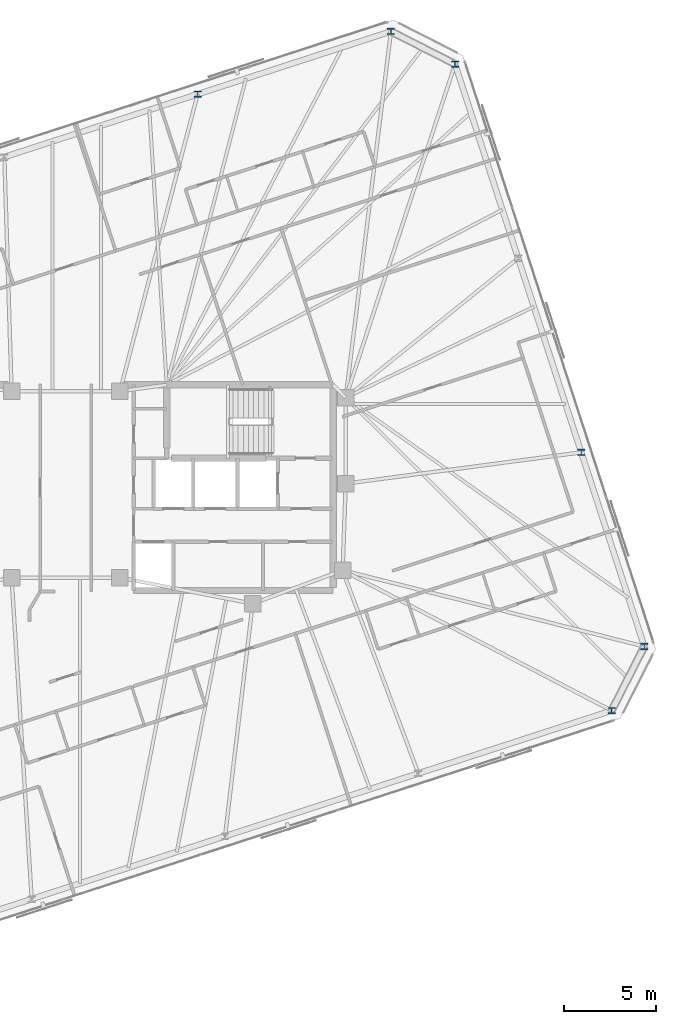
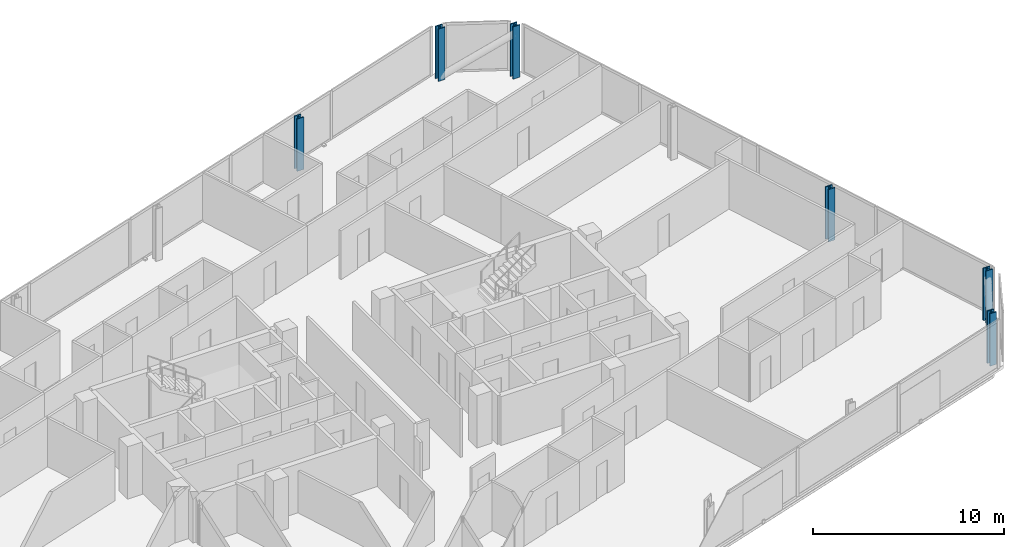
# One storey, part 4 of 20: 6 columns.
"""IFC4 building model written with IfcOpenShell, lengths in metres."""

from ifc_helpers import new_model, si_unit, direction, frame, origin, origin_2d, place, context, subcontext, project, spatial, i_section, extrude, material, material_profile, profile_set, type_object, element, save


model = new_model("IFC4")

# Units and contexts
model_context = context("Model", 3, precision=1e-05, world=origin(), true_north=direction((0.0, 1.0)))
body_context = subcontext(model_context, "Body", "Model", "MODEL_VIEW")
ifc_project = project(units=[si_unit("LENGTHUNIT", "METRE"), si_unit("AREAUNIT", "SQUARE_METRE"), si_unit("VOLUMEUNIT", "CUBIC_METRE"), si_unit("PLANEANGLEUNIT", "RADIAN"), si_unit("MASSUNIT", "GRAM", prefix="KILO")], contexts=[model_context])

# Site, building, storey
site_placement = place(None, origin())
site = spatial("IfcSite", under=ifc_project, at=site_placement, CompositionType="ELEMENT")
building_placement = place(site_placement, origin())
building = spatial("IfcBuilding", under=site, at=building_placement, Name="Menara Jurai Vektor", CompositionType="ELEMENT")
storey_placement = place(building_placement, frame((0.0, 0.0, 237.699951171875)))
storey = spatial("IfcBuildingStorey", under=building, at=storey_placement, Name="L63", CompositionType="ELEMENT", Elevation=237.699951171875)

# Columns
ifc_material = material(Name="Steel S460", Category="steel")
ifc_material_profile = material_profile(ifc_material, i_section(OverallWidth=0.405029296875, OverallDepth=0.35498046875, WebThickness=0.0419921875, FlangeThickness=0.068115234375, FilletRadius=0.014892578125, at=origin_2d()), Name="HD 400x551")
ifc_profile_set = profile_set([ifc_material_profile], Name="Steel S460")
column_type = type_object("IfcColumnType", Name="STR-EXO-BLK4", PredefinedType="COLUMN", material=ifc_profile_set)
for number, where, z_axis, x_axis, name in (
    (1, (29.733642578125, -12.14501953125, 0.0), (0.0, 0.0, 1.0), (1.0, 0.0, 0.0), "Exoskeleton Column BLK4-S6 L63"),
    (2, (31.513427734375, -8.652099609375, 0.0), (0.0, 0.0, 1.0), (1.0, 0.0, 0.0), "Exoskeleton Column BLK4-E1 L63"),
    (3, (28.07763671875, 1.92236328125, 0.0), (0.0, 0.0, 1.0), (1.0, 0.0, 0.0), "Exoskeleton Column BLK4-E2 L63"),
    (4, (21.2060546875, 23.071044921875, 0.0), (0.0, 0.0, 1.0), (1.0, 0.0, 0.0), "Exoskeleton Column BLK4-E4 L63"),
    (5, (17.712890625, 24.85107421875, 0.0), (0.0, 0.0, 1.0), (1.0, 0.0, 0.0), "Exoskeleton Column BLK4-N1 L63"),
    (6, (7.18359375, 21.4296875, 0.0), (0.0, 0.0, 1.0), (1.0, 0.0, 0.0), "Exoskeleton Column BLK4-N2 L63"),
):
    element("IfcColumn", number, at=place(storey_placement, frame(where, z_axis=z_axis, x_axis=x_axis)), inside=storey, type_object=column_type, Name=name, PredefinedType="COLUMN", context=body_context, shape_type="SweptSolid", body=[
        extrude(i_section(OverallWidth=0.405029296875, OverallDepth=0.35498046875, WebThickness=0.0419921875, FlangeThickness=0.068115234375, FilletRadius=0.014892578125, at=origin_2d()), origin(), (0.0, 0.0, 1.0), 3.35009765625),
    ])

save(model, "model.ifc")
